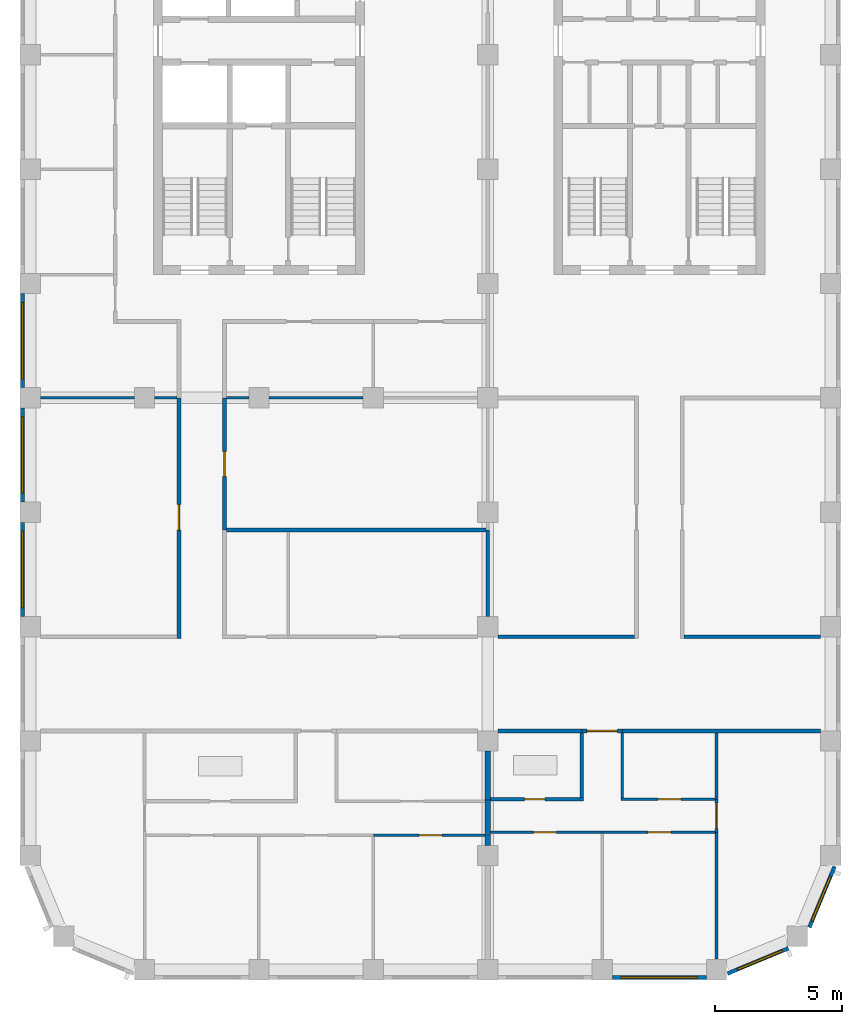
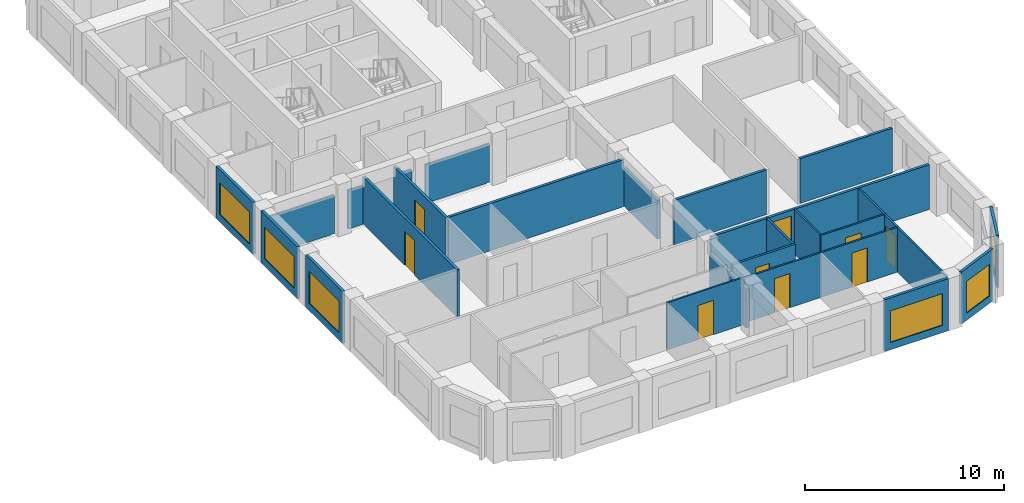
# One storey, part 3 of 10: 32 walls, 9 doors, 6 windows, 15 openings.
"""IFC4 building model written with IfcOpenShell, lengths in metres."""

from ifc_helpers import new_model, si_unit, direction, frame, frame_2d, origin, place, context, subcontext, project, spatial, rectangle, extrude, material, layer, layer_set, type_object, element, fill, save


model = new_model("IFC4")

# Units and contexts
model_context = context("Model", 3, precision=1e-05, world=origin(), true_north=direction((0.0, 1.0)))
body_context = subcontext(model_context, "Body", "Model", "MODEL_VIEW")
ifc_project = project(units=[si_unit("LENGTHUNIT", "METRE"), si_unit("AREAUNIT", "SQUARE_METRE"), si_unit("VOLUMEUNIT", "CUBIC_METRE"), si_unit("PLANEANGLEUNIT", "RADIAN"), si_unit("MASSUNIT", "GRAM", prefix="KILO")], contexts=[model_context])

# Site, building, storey
site_placement = place(None, origin())
site = spatial("IfcSite", under=ifc_project, at=site_placement, CompositionType="ELEMENT")
building_placement = place(site_placement, origin())
building = spatial("IfcBuilding", under=site, at=building_placement, Name="Girih Gate Residences", CompositionType="ELEMENT")
storey_placement = place(building_placement, frame((0.0, 0.0, 229.294921875)))
storey = spatial("IfcBuildingStorey", under=building, at=storey_placement, Name="L64", CompositionType="ELEMENT", Elevation=229.294921875)

# Wall
ifc_material_1 = material(Name="Gypsum board on steel studs", Category="steel")
ifc_layer_1 = layer(ifc_material_1, 0.14990234375)
ifc_layer_set_1 = layer_set([ifc_layer_1], Name="Compartment wall 150 mm")
wall_type_1 = type_object("IfcWallType", Name="Compartment wall 150 mm", PredefinedType="PARTITIONING", material=ifc_layer_set_1)
wall_1_placement = place(storey_placement, frame((18.39990234375, 9.39990234375, 0.0), z_axis=(0.0, 0.0, 1.0), x_axis=(1.0, 0.0, 0.0)))
element("IfcWall", 1, at=wall_1_placement, inside=storey, type_object=wall_type_1, Name="L64 partition", PredefinedType="PARTITIONING", context=body_context, shape_type="SweptSolid", body=[
    extrude(rectangle(XDim=3.300048828125, YDim=0.14990234375, at=frame_2d((1.64990234375, 0.0))), origin(), (0.0, 0.0, 1.0), 2.75),
])

# Wall, opening, door
wall_2_placement = place(storey_placement, frame((23.300048828125, 9.39990234375, 0.0), z_axis=(0.0, 0.0, 1.0), x_axis=(-1.0, 0.0, 0.0)))
wall_2 = element("IfcWall", 2, at=wall_2_placement, inside=storey, type_object=wall_type_1, Name="L64 partition", PredefinedType="PARTITIONING", context=body_context, shape_type="SweptSolid", body=[
    extrude(rectangle(XDim=1.60009765625, YDim=0.14990234375, at=frame_2d((0.800048828125, 0.0))), origin(), (0.0, 0.0, 1.0), 2.75),
])
opening_1_placement = place(wall_2_placement, frame((0.199951171875, 0.0, 0.0)))
opening_1 = element("IfcOpeningElement", 3, at=opening_1_placement, cuts=wall_2, Name="Opening A64-023", PredefinedType="OPENING", context=body_context, shape_type="SweptSolid", body=[
    extrude(rectangle(XDim=1.199951171875, YDim=2.39990234375, at=frame_2d((0.60009765625, 1.199951171875))), frame((0.0, 0.0849609375, 0.0), z_axis=(0.0, -1.0, 0.0), x_axis=(1.0, 0.0, 0.0)), (0.0, 0.0, 1.0), 0.169921875),
])
ifc_material_2 = material(Name="Timber, fire-rated core", Category="wood")
door_type_1 = type_object("IfcDoorType", Name="Villa entrance door 1200x2400 FD30S", OperationType="NOTDEFINED", PredefinedType="DOOR", material=ifc_material_2)
door_1_placement = place(opening_1_placement, origin())
door_1 = element("IfcDoor", 4, at=door_1_placement, inside=storey, type_object=door_type_1, Name="Door A64-023", OperationType="SINGLE_SWING_LEFT", OverallHeight=2.39990234375, OverallWidth=1.199951171875, PredefinedType="DOOR", context=body_context, shape_type="SweptSolid", body=[
    extrude(rectangle(XDim=1.199951171875, YDim=2.39990234375, at=frame_2d((0.60009765625, 1.199951171875))), frame((0.0, 0.02490234375, 0.0), z_axis=(0.0, -1.0, 0.0), x_axis=(1.0, 0.0, 0.0)), (0.0, 0.0, 1.0), 0.050048828125),
])
fill(opening_1, door_1)

# Wall
wall_3_placement = place(storey_placement, frame((23.300048828125, 9.39990234375, 0.0), z_axis=(0.0, 0.0, 1.0), x_axis=(1.0, 0.0, 0.0)))
element("IfcWall", 5, at=wall_3_placement, inside=storey, type_object=wall_type_1, Name="L64 partition", PredefinedType="PARTITIONING", context=body_context, shape_type="SweptSolid", body=[
    extrude(rectangle(XDim=7.800048828125, YDim=0.14990234375, at=frame_2d((3.89990234375, 0.0))), origin(), (0.0, 0.0, 1.0), 2.75),
])

# Wall, opening, door
wall_4_placement = place(storey_placement, frame((7.64990234375, 22.5, 0.0), z_axis=(0.0, 0.0, 1.0), x_axis=(0.0, -1.0, 0.0)))
wall_4 = element("IfcWall", 6, at=wall_4_placement, inside=storey, type_object=wall_type_1, Name="L64 partition", PredefinedType="PARTITIONING", context=body_context, shape_type="SweptSolid", body=[
    extrude(rectangle(XDim=5.199951171875, YDim=0.14990234375, at=frame_2d((2.60009765625, 0.0))), origin(), (0.0, 0.0, 1.0), 2.900146484375),
])
opening_2_placement = place(wall_4_placement, frame((2.10009765625, 0.0, 0.0)))
opening_2 = element("IfcOpeningElement", 7, at=opening_2_placement, cuts=wall_4, Name="Opening A64-024", PredefinedType="OPENING", context=body_context, shape_type="SweptSolid", body=[
    extrude(rectangle(XDim=1.0, YDim=2.10009765625, at=frame_2d((0.5, 1.050048828125))), frame((0.0, 0.0849609375, 0.0), z_axis=(0.0, -1.0, 0.0), x_axis=(1.0, 0.0, 0.0)), (0.0, 0.0, 1.0), 0.169921875),
])
door_type_2 = type_object("IfcDoorType", Name="Amenity room door 1000x2100 FD30S", OperationType="NOTDEFINED", PredefinedType="DOOR", material=ifc_material_2)
door_2_placement = place(opening_2_placement, origin())
door_2 = element("IfcDoor", 8, at=door_2_placement, inside=storey, type_object=door_type_2, Name="Door A64-024", OperationType="SINGLE_SWING_RIGHT", OverallHeight=2.10009765625, OverallWidth=1.0, PredefinedType="DOOR", context=body_context, shape_type="SweptSolid", body=[
    extrude(rectangle(XDim=1.0, YDim=2.10009765625, at=frame_2d((0.5, 1.050048828125))), frame((0.0, 0.02490234375, 0.0), z_axis=(0.0, -1.0, 0.0), x_axis=(1.0, 0.0, 0.0)), (0.0, 0.0, 1.0), 0.050048828125),
])
fill(opening_2, door_2)

# Walls
wall_5_placement = place(storey_placement, frame((7.72509765625, 17.300048828125, 0.0), z_axis=(0.0, 0.0, 1.0), x_axis=(1.0, 0.0, 0.0)))
element("IfcWall", 9, at=wall_5_placement, inside=storey, type_object=wall_type_1, Name="L64 partition", PredefinedType="PARTITIONING", context=body_context, shape_type="SweptSolid", body=[
    extrude(rectangle(XDim=10.199951171875, YDim=0.14990234375, at=frame_2d((5.10009765625, 0.0))), origin(), (0.0, 0.0, 1.0), 2.900146484375),
])
for number, where, z_axis, x_axis, name in (
    (10, (18.39990234375, 13.10009765625, 0.0), (0.0, 0.0, 1.0), (1.0, 0.0, 0.0), "L64 partition"),
    (11, (25.72509765625, 13.10009765625, 0.0), (0.0, 0.0, 1.0), (1.0, 0.0, 0.0), "L64 partition"),
):
    element("IfcWall", number, at=place(storey_placement, frame(where, z_axis=z_axis, x_axis=x_axis)), inside=storey, type_object=wall_type_1, Name=name, PredefinedType="PARTITIONING", context=body_context, shape_type="SweptSolid", body=[
        extrude(rectangle(XDim=5.375, YDim=0.14990234375, at=frame_2d((2.6875, 0.0))), origin(), (0.0, 0.0, 1.0), 2.75),
    ])
wall_6_placement = place(storey_placement, frame((18.0, 13.89990234375, 0.0), z_axis=(0.0, 0.0, 1.0), x_axis=(0.0, 1.0, 0.0)))
element("IfcWall", 12, at=wall_6_placement, inside=storey, type_object=wall_type_1, Name="L64 partition", PredefinedType="PARTITIONING", context=body_context, shape_type="SweptSolid", body=[
    extrude(rectangle(XDim=3.400146484375, YDim=0.14990234375, at=frame_2d((1.7001953125, 0.0))), origin(), (0.0, 0.0, 1.0), 2.380126953125),
])

# Wall, opening, door
wall_7_placement = place(storey_placement, frame((5.85009765625, 13.02490234375, 0.0), z_axis=(0.0, 0.0, 1.0), x_axis=(0.0, 1.0, 0.0)))
wall_7 = element("IfcWall", 13, at=wall_7_placement, inside=storey, type_object=wall_type_1, Name="L64 partition", PredefinedType="PARTITIONING", context=body_context, shape_type="SweptSolid", body=[
    extrude(rectangle(XDim=9.47509765625, YDim=0.14990234375, at=frame_2d((4.737548828125, 0.0))), origin(), (0.0, 0.0, 1.0), 2.900146484375),
])
opening_3_placement = place(wall_7_placement, frame((4.27490234375, 0.0, 0.0)))
opening_3 = element("IfcOpeningElement", 14, at=opening_3_placement, cuts=wall_7, Name="Opening A64-037", PredefinedType="OPENING", context=body_context, shape_type="SweptSolid", body=[
    extrude(rectangle(XDim=1.0, YDim=2.10009765625, at=frame_2d((0.5, 1.050048828125))), frame((0.0, 0.0849609375, 0.0), z_axis=(0.0, -1.0, 0.0), x_axis=(1.0, 0.0, 0.0)), (0.0, 0.0, 1.0), 0.169921875),
])
door_3_placement = place(opening_3_placement, origin())
door_3 = element("IfcDoor", 15, at=door_3_placement, inside=storey, type_object=door_type_2, Name="Door A64-037", OperationType="SINGLE_SWING_RIGHT", OverallHeight=2.10009765625, OverallWidth=1.0, PredefinedType="DOOR", context=body_context, shape_type="SweptSolid", body=[
    extrude(rectangle(XDim=1.0, YDim=2.10009765625, at=frame_2d((0.5, 1.050048828125))), frame((0.0, 0.02490234375, 0.0), z_axis=(0.0, -1.0, 0.0), x_axis=(1.0, 0.0, 0.0)), (0.0, 0.0, 1.0), 0.050048828125),
])
fill(opening_3, door_3)

ifc_layer_2 = layer(ifc_material_1, 0.10009765625)
ifc_layer_set_2 = layer_set([ifc_layer_2], Name="Partition 100 mm")
wall_type_2 = type_object("IfcWallType", Name="Partition 100 mm", PredefinedType="PARTITIONING", material=ifc_layer_set_2)
wall_8_placement = place(storey_placement, frame((17.89990234375, 5.2900390625, 0.0), z_axis=(0.0, 0.0, 1.0), x_axis=(-1.0, 0.0, 0.0)))
wall_8 = element("IfcWall", 16, at=wall_8_placement, inside=storey, type_object=wall_type_2, Name="L64 partition", PredefinedType="PARTITIONING", context=body_context, shape_type="SweptSolid", body=[
    extrude(rectangle(XDim=4.39990234375, YDim=0.10009765625, at=frame_2d((2.199951171875, 0.0))), origin(), (0.0, 0.0, 1.0), 2.900146484375),
])
opening_4_placement = place(wall_8_placement, frame((1.699951171875, 0.0, 0.0)))
opening_4 = element("IfcOpeningElement", 17, at=opening_4_placement, cuts=wall_8, Name="Opening A64-004", PredefinedType="OPENING", context=body_context, shape_type="SweptSolid", body=[
    extrude(rectangle(XDim=0.89990234375, YDim=2.10009765625, at=frame_2d((0.449951171875, 1.050048828125))), frame((0.0, 0.06005859375, 0.0), z_axis=(0.0, -1.0, 0.0), x_axis=(1.0, 0.0, 0.0)), (0.0, 0.0, 1.0), 0.1201171875),
])
ifc_material_3 = material(Name="Timber", Category="wood")
door_type_3 = type_object("IfcDoorType", Name="Bedroom door 900x2100", OperationType="NOTDEFINED", PredefinedType="DOOR", material=ifc_material_3)
door_4_placement = place(opening_4_placement, origin())
door_4 = element("IfcDoor", 18, at=door_4_placement, inside=storey, type_object=door_type_3, Name="Door A64-004", OperationType="SINGLE_SWING_LEFT", OverallHeight=2.10009765625, OverallWidth=0.89990234375, PredefinedType="DOOR", context=body_context, shape_type="SweptSolid", body=[
    extrude(rectangle(XDim=0.89990234375, YDim=2.10009765625, at=frame_2d((0.449951171875, 1.050048828125))), frame((0.0, 0.02490234375, 0.0), z_axis=(0.0, -1.0, 0.0), x_axis=(1.0, 0.0, 0.0)), (0.0, 0.0, 1.0), 0.050048828125),
])
fill(opening_4, door_4)

wall_9_placement = place(storey_placement, frame((22.5, 5.409912109375, 0.0), z_axis=(0.0, 0.0, 1.0), x_axis=(-1.0, 0.0, 0.0)))
wall_9 = element("IfcWall", 19, at=wall_9_placement, inside=storey, type_object=wall_type_2, Name="L64 partition", PredefinedType="PARTITIONING", context=body_context, shape_type="SweptSolid", body=[
    extrude(rectangle(XDim=4.39990234375, YDim=0.10009765625, at=frame_2d((2.199951171875, 0.0))), origin(), (0.0, 0.0, 1.0), 2.75),
])
opening_5_placement = place(wall_9_placement, frame((1.800048828125, 0.0, 0.0)))
opening_5 = element("IfcOpeningElement", 20, at=opening_5_placement, cuts=wall_9, Name="Opening A64-019", PredefinedType="OPENING", context=body_context, shape_type="SweptSolid", body=[
    extrude(rectangle(XDim=0.89990234375, YDim=2.10009765625, at=frame_2d((0.449951171875, 1.050048828125))), frame((0.0, 0.06005859375, 0.0), z_axis=(0.0, -1.0, 0.0), x_axis=(1.0, 0.0, 0.0)), (0.0, 0.0, 1.0), 0.1201171875),
])
door_5_placement = place(opening_5_placement, origin())
door_5 = element("IfcDoor", 21, at=door_5_placement, inside=storey, type_object=door_type_3, Name="Door A64-019", OperationType="SINGLE_SWING_RIGHT", OverallHeight=2.10009765625, OverallWidth=0.89990234375, PredefinedType="DOOR", context=body_context, shape_type="SweptSolid", body=[
    extrude(rectangle(XDim=0.89990234375, YDim=2.10009765625, at=frame_2d((0.449951171875, 1.050048828125))), frame((0.0, 0.02490234375, 0.0), z_axis=(0.0, -1.0, 0.0), x_axis=(1.0, 0.0, 0.0)), (0.0, 0.0, 1.0), 0.050048828125),
])
fill(opening_5, door_5)

wall_10_placement = place(storey_placement, frame((26.949951171875, 5.409912109375, 0.0), z_axis=(0.0, 0.0, 1.0), x_axis=(-1.0, 0.0, 0.0)))
wall_10 = element("IfcWall", 22, at=wall_10_placement, inside=storey, type_object=wall_type_2, Name="L64 partition", PredefinedType="PARTITIONING", context=body_context, shape_type="SweptSolid", body=[
    extrude(rectangle(XDim=4.449951171875, YDim=0.10009765625, at=frame_2d((2.22509765625, 0.0))), origin(), (0.0, 0.0, 1.0), 2.75),
])
opening_6_placement = place(wall_10_placement, frame((1.75, 0.0, 0.0)))
opening_6 = element("IfcOpeningElement", 23, at=opening_6_placement, cuts=wall_10, Name="Opening A64-020", PredefinedType="OPENING", context=body_context, shape_type="SweptSolid", body=[
    extrude(rectangle(XDim=0.89990234375, YDim=2.10009765625, at=frame_2d((0.449951171875, 1.050048828125))), frame((0.0, 0.06005859375, 0.0), z_axis=(0.0, -1.0, 0.0), x_axis=(1.0, 0.0, 0.0)), (0.0, 0.0, 1.0), 0.1201171875),
])
door_6_placement = place(opening_6_placement, origin())
door_6 = element("IfcDoor", 24, at=door_6_placement, inside=storey, type_object=door_type_3, Name="Door A64-020", OperationType="SINGLE_SWING_LEFT", OverallHeight=2.10009765625, OverallWidth=0.89990234375, PredefinedType="DOOR", context=body_context, shape_type="SweptSolid", body=[
    extrude(rectangle(XDim=0.89990234375, YDim=2.10009765625, at=frame_2d((0.449951171875, 1.050048828125))), frame((0.0, 0.02490234375, 0.0), z_axis=(0.0, -1.0, 0.0), x_axis=(1.0, 0.0, 0.0)), (0.0, 0.0, 1.0), 0.050048828125),
])
fill(opening_6, door_6)

# Walls
wall_11_placement = place(storey_placement, frame((27.0, 0.432861328125, 0.0), z_axis=(0.0, 0.0, 1.0), x_axis=(0.0, 1.0, 0.0)))
element("IfcWall", 25, at=wall_11_placement, inside=storey, type_object=wall_type_2, Name="L64 partition", PredefinedType="PARTITIONING", context=body_context, shape_type="SweptSolid", body=[
    extrude(rectangle(XDim=4.97705078125, YDim=0.10009765625, at=frame_2d((2.488525390625, 0.0))), origin(), (0.0, 0.0, 1.0), 2.75),
])
wall_12_placement = place(storey_placement, frame((23.300048828125, 6.760009765625, 0.0), z_axis=(0.0, 0.0, 1.0), x_axis=(0.0, 1.0, 0.0)))
element("IfcWall", 26, at=wall_12_placement, inside=storey, type_object=wall_type_2, Name="L64 partition", PredefinedType="PARTITIONING", context=body_context, shape_type="SweptSolid", body=[
    extrude(rectangle(XDim=2.56494140625, YDim=0.10009765625, at=frame_2d((1.282470703125, 0.0))), origin(), (0.0, 0.0, 1.0), 2.75),
])

# Wall, opening, door
wall_13_placement = place(storey_placement, frame((23.25, 6.7099609375, 0.0), z_axis=(0.0, 0.0, 1.0), x_axis=(1.0, 0.0, 0.0)))
wall_13 = element("IfcWall", 27, at=wall_13_placement, inside=storey, type_object=wall_type_2, Name="L64 partition", PredefinedType="PARTITIONING", context=body_context, shape_type="SweptSolid", body=[
    extrude(rectangle(XDim=3.699951171875, YDim=0.10009765625, at=frame_2d((1.85009765625, 0.0))), origin(), (0.0, 0.0, 1.0), 2.75),
])
opening_7_placement = place(wall_13_placement, frame((1.449951171875, 0.0, 0.0)))
opening_7 = element("IfcOpeningElement", 28, at=opening_7_placement, cuts=wall_13, Name="Opening A64-021", PredefinedType="OPENING", context=body_context, shape_type="SweptSolid", body=[
    extrude(rectangle(XDim=0.89990234375, YDim=2.10009765625, at=frame_2d((0.449951171875, 1.050048828125))), frame((0.0, 0.06005859375, 0.0), z_axis=(0.0, -1.0, 0.0), x_axis=(1.0, 0.0, 0.0)), (0.0, 0.0, 1.0), 0.1201171875),
])
door_type_4 = type_object("IfcDoorType", Name="Kitchen door 900x2100", OperationType="NOTDEFINED", PredefinedType="DOOR", material=ifc_material_3)
door_7_placement = place(opening_7_placement, origin())
door_7 = element("IfcDoor", 29, at=door_7_placement, inside=storey, type_object=door_type_4, Name="Door A64-021", OperationType="SINGLE_SWING_RIGHT", OverallHeight=2.10009765625, OverallWidth=0.89990234375, PredefinedType="DOOR", context=body_context, shape_type="SweptSolid", body=[
    extrude(rectangle(XDim=0.89990234375, YDim=2.10009765625, at=frame_2d((0.449951171875, 1.050048828125))), frame((0.0, 0.02490234375, 0.0), z_axis=(0.0, -1.0, 0.0), x_axis=(1.0, 0.0, 0.0)), (0.0, 0.0, 1.0), 0.050048828125),
])
fill(opening_7, door_7)

wall_14_placement = place(storey_placement, frame((27.0, 6.7099609375, 0.0), z_axis=(0.0, 0.0, 1.0), x_axis=(0.0, -1.0, 0.0)))
wall_14 = element("IfcWall", 30, at=wall_14_placement, inside=storey, type_object=wall_type_2, Name="L64 partition", PredefinedType="PARTITIONING", context=body_context, shape_type="SweptSolid", body=[
    extrude(rectangle(XDim=1.300048828125, YDim=0.10009765625, at=frame_2d((0.64990234375, 0.0))), origin(), (0.0, 0.0, 1.0), 2.75),
])
opening_8_placement = place(wall_14_placement, frame((0.14990234375, 0.0, 0.0)))
opening_8 = element("IfcOpeningElement", 31, at=opening_8_placement, cuts=wall_14, Name="Opening A64-022", PredefinedType="OPENING", context=body_context, shape_type="SweptSolid", body=[
    extrude(rectangle(XDim=1.0, YDim=2.10009765625, at=frame_2d((0.5, 1.050048828125))), frame((0.0, 0.06005859375, 0.0), z_axis=(0.0, -1.0, 0.0), x_axis=(1.0, 0.0, 0.0)), (0.0, 0.0, 1.0), 0.1201171875),
])
door_type_5 = type_object("IfcDoorType", Name="Living room door 1000x2100", OperationType="NOTDEFINED", PredefinedType="DOOR", material=ifc_material_3)
door_8_placement = place(opening_8_placement, origin())
door_8 = element("IfcDoor", 32, at=door_8_placement, inside=storey, type_object=door_type_5, Name="Door A64-022", OperationType="SINGLE_SWING_LEFT", OverallHeight=2.10009765625, OverallWidth=1.0, PredefinedType="DOOR", context=body_context, shape_type="SweptSolid", body=[
    extrude(rectangle(XDim=1.0, YDim=2.10009765625, at=frame_2d((0.5, 1.050048828125))), frame((0.0, 0.02490234375, 0.0), z_axis=(0.0, -1.0, 0.0), x_axis=(1.0, 0.0, 0.0)), (0.0, 0.0, 1.0), 0.050048828125),
])
fill(opening_8, door_8)

# Walls
wall_15_placement = place(storey_placement, frame((27.0, 6.7099609375, 0.0), z_axis=(0.0, 0.0, 1.0), x_axis=(0.0, 1.0, 0.0)))
element("IfcWall", 33, at=wall_15_placement, inside=storey, type_object=wall_type_2, Name="L64 partition", PredefinedType="PARTITIONING", context=body_context, shape_type="SweptSolid", body=[
    extrude(rectangle(XDim=2.614990234375, YDim=0.10009765625, at=frame_2d((1.3076171875, 0.0))), origin(), (0.0, 0.0, 1.0), 2.75),
])
wall_16_placement = place(storey_placement, frame((7.72509765625, 22.5, 0.0), z_axis=(0.0, 0.0, 1.0), x_axis=(1.0, 0.0, 0.0)))
element("IfcWall", 34, at=wall_16_placement, inside=storey, type_object=wall_type_2, Name="L64 partition", PredefinedType="PARTITIONING", context=body_context, shape_type="SweptSolid", body=[
    extrude(rectangle(XDim=0.875, YDim=0.10009765625, at=frame_2d((0.4375, 0.0))), origin(), (0.0, 0.0, 1.0), 2.380126953125),
])
wall_17_placement = place(storey_placement, frame((9.39990234375, 22.5, 0.0), z_axis=(0.0, 0.0, 1.0), x_axis=(1.0, 0.0, 0.0)))
element("IfcWall", 35, at=wall_17_placement, inside=storey, type_object=wall_type_2, Name="L64 partition", PredefinedType="PARTITIONING", context=body_context, shape_type="SweptSolid", body=[
    extrude(rectangle(XDim=3.7001953125, YDim=0.10009765625, at=frame_2d((1.85009765625, 0.0))), origin(), (0.0, 0.0, 1.0), 2.380126953125),
])
wall_18_placement = place(storey_placement, frame((4.89990234375, 22.5, 0.0), z_axis=(0.0, 0.0, 1.0), x_axis=(1.0, 0.0, 0.0)))
element("IfcWall", 36, at=wall_18_placement, inside=storey, type_object=wall_type_2, Name="L64 partition", PredefinedType="PARTITIONING", context=body_context, shape_type="SweptSolid", body=[
    extrude(rectangle(XDim=0.875, YDim=0.10009765625, at=frame_2d((0.4375, 0.0))), origin(), (0.0, 0.0, 1.0), 2.380126953125),
])
wall_19_placement = place(storey_placement, frame((0.39990234375, 22.5, 0.0), z_axis=(0.0, 0.0, 1.0), x_axis=(1.0, 0.0, 0.0)))
element("IfcWall", 37, at=wall_19_placement, inside=storey, type_object=wall_type_2, Name="L64 partition", PredefinedType="PARTITIONING", context=body_context, shape_type="SweptSolid", body=[
    extrude(rectangle(XDim=3.7001953125, YDim=0.10009765625, at=frame_2d((1.85009765625, 0.0))), origin(), (0.0, 0.0, 1.0), 2.380126953125),
])
ifc_layer_3 = layer(ifc_material_1, 0.199951171875)
ifc_layer_set_3 = layer_set([ifc_layer_3], Name="Party wall 200 mm")
wall_type_3 = type_object("IfcWallType", Name="Party wall 200 mm", PredefinedType="PARTITIONING", material=ifc_layer_set_3)
wall_20_placement = place(storey_placement, frame((18.0, 4.89990234375, 0.0), z_axis=(0.0, 0.0, 1.0), x_axis=(0.0, 1.0, 0.0)))
element("IfcWall", 38, at=wall_20_placement, inside=storey, type_object=wall_type_3, Name="L64 partition", PredefinedType="PARTITIONING", context=body_context, shape_type="SweptSolid", body=[
    extrude(rectangle(XDim=0.440185546875, YDim=0.199951171875, at=frame_2d((0.22021484375, 0.0))), origin(), (0.0, 0.0, 1.0), 2.380126953125),
])
wall_21_placement = place(storey_placement, frame((18.0, 5.360107421875, 0.0), z_axis=(0.0, 0.0, 1.0), x_axis=(0.0, 1.0, 0.0)))
element("IfcWall", 39, at=wall_21_placement, inside=storey, type_object=wall_type_3, Name="L64 partition", PredefinedType="PARTITIONING", context=body_context, shape_type="SweptSolid", body=[
    extrude(rectangle(XDim=1.31982421875, YDim=0.199951171875, at=frame_2d((0.659912109375, 0.0))), origin(), (0.0, 0.0, 1.0), 2.380126953125),
])
wall_22_placement = place(storey_placement, frame((18.0, 6.6474609375, 0.0), z_axis=(0.0, 0.0, 1.0), x_axis=(0.0, 1.0, 0.0)))
element("IfcWall", 40, at=wall_22_placement, inside=storey, type_object=wall_type_3, Name="L64 partition", PredefinedType="PARTITIONING", context=body_context, shape_type="SweptSolid", body=[
    extrude(rectangle(XDim=1.95263671875, YDim=0.199951171875, at=frame_2d((0.976318359375, 0.0))), origin(), (0.0, 0.0, 1.0), 2.380126953125),
])

# Wall, opening, window
ifc_material_4 = material(Name="Precast concrete C50/60", Category="concrete")
ifc_layer_4 = layer(ifc_material_4, 0.050048828125, Name="Outer leaf")
ifc_material_5 = material(Name="Rigid PIR insulation")
ifc_layer_5 = layer(ifc_material_5, 0.06005859375, Name="Insulation")
ifc_material_6 = material(Name="Precast concrete C40/50", Category="concrete")
ifc_layer_6 = layer(ifc_material_6, 0.0400390625, Name="Inner leaf")
ifc_layer_set_4 = layer_set([ifc_layer_4, ifc_layer_5, ifc_layer_6], Name="Precast concrete C50/60 external wall 150")
wall_type_4 = type_object("IfcWallType", Name="Precast concrete C50/60 external wall 150", PredefinedType="SOLIDWALL", material=ifc_layer_set_4)
wall_23_placement = place(storey_placement, frame((29.8330078125, 0.8486328125, 0.0), z_axis=(0.0, 0.0, 1.0), x_axis=(-0.923885342263, -0.382669406082, 0.0)))
wall_23 = element("IfcWall", 41, at=wall_23_placement, inside=storey, type_object=wall_type_4, Name="External wall SE0270_0000.0", PredefinedType="SOLIDWALL", context=body_context, shape_type="SweptSolid", body=[
    extrude(rectangle(XDim=2.602294921875, YDim=0.14990234375, at=frame_2d((1.30126953125, 0.0))), origin(), (0.0, 0.0, 1.0), 3.2001953125),
])
opening_9_placement = place(wall_23_placement, frame((0.27001953125, 0.0, 0.449951171875)))
opening_9 = element("IfcOpeningElement", 42, at=opening_9_placement, cuts=wall_23, Name="Opening W-2G", PredefinedType="OPENING", context=body_context, shape_type="SweptSolid", body=[
    extrude(rectangle(XDim=1.89990234375, YDim=1.949951171875, at=frame_2d((0.949951171875, 0.97509765625))), frame((0.0, 0.0849609375, 0.0), z_axis=(0.0, -1.0, 0.0), x_axis=(1.0, 0.0, 0.0)), (0.0, 0.0, 1.0), 0.169921875),
])
ifc_material_7 = material(Name="Double glazing in aluminium frame", Category="aluminium")
window_type_1 = type_object("IfcWindowType", Name="Window W-2G 1900x1950", PartitioningType="SINGLE_PANEL", PredefinedType="WINDOW", material=ifc_material_7)
window_1_placement = place(opening_9_placement, origin())
window_1 = element("IfcWindow", 43, at=window_1_placement, inside=storey, type_object=window_type_1, Name="Window W-2G SE0270_0000.0", OverallHeight=1.949951171875, OverallWidth=1.89990234375, PartitioningType="SINGLE_PANEL", PredefinedType="WINDOW", context=body_context, shape_type="SweptSolid", body=[
    extrude(rectangle(XDim=1.89990234375, YDim=1.949951171875, at=frame_2d((0.949951171875, 0.97509765625))), frame((0.0, 0.030029296875, 0.0), z_axis=(0.0, -1.0, 0.0), x_axis=(1.0, 0.0, 0.0)), (0.0, 0.0, 1.0), 0.06005859375),
])
fill(opening_9, window_1)

wall_24_placement = place(storey_placement, frame((31.647216796875, 4.0712890625, 0.0), z_axis=(0.0, 0.0, 1.0), x_axis=(-0.382669406082, -0.923885342263, 0.0)))
wall_24 = element("IfcWall", 44, at=wall_24_placement, inside=storey, type_object=wall_type_4, Name="External wall SE0302_0013.0", PredefinedType="SOLIDWALL", context=body_context, shape_type="SweptSolid", body=[
    extrude(rectangle(XDim=2.602294921875, YDim=0.14990234375, at=frame_2d((1.30126953125, 0.0))), origin(), (0.0, 0.0, 1.0), 3.2001953125),
])
opening_10_placement = place(wall_24_placement, frame((0.432373046875, 0.0, 0.449951171875)))
opening_10 = element("IfcOpeningElement", 45, at=opening_10_placement, cuts=wall_24, Name="Opening W-2G", PredefinedType="OPENING", context=body_context, shape_type="SweptSolid", body=[
    extrude(rectangle(XDim=1.89990234375, YDim=1.949951171875, at=frame_2d((0.949951171875, 0.97509765625))), frame((0.0, 0.0849609375, 0.0), z_axis=(0.0, -1.0, 0.0), x_axis=(1.0, 0.0, 0.0)), (0.0, 0.0, 1.0), 0.169921875),
])
window_2_placement = place(opening_10_placement, origin())
window_2 = element("IfcWindow", 46, at=window_2_placement, inside=storey, type_object=window_type_1, Name="Window W-2G SE0302_0013.0", OverallHeight=1.949951171875, OverallWidth=1.89990234375, PartitioningType="SINGLE_PANEL", PredefinedType="WINDOW", context=body_context, shape_type="SweptSolid", body=[
    extrude(rectangle(XDim=1.89990234375, YDim=1.949951171875, at=frame_2d((0.949951171875, 0.97509765625))), frame((0.0, 0.030029296875, 0.0), z_axis=(0.0, -1.0, 0.0), x_axis=(1.0, 0.0, 0.0)), (0.0, 0.0, 1.0), 0.06005859375),
])
fill(opening_10, window_2)

wall_25_placement = place(storey_placement, frame((-0.300048828125, 22.89990234375, 0.0), z_axis=(0.0, 0.0, 1.0), x_axis=(0.0, 1.0, 0.0)))
wall_25 = element("IfcWall", 47, at=wall_25_placement, inside=storey, type_object=wall_type_4, Name="External wall W0000_0450.4", PredefinedType="SOLIDWALL", context=body_context, shape_type="SweptSolid", body=[
    extrude(rectangle(XDim=3.7001953125, YDim=0.14990234375, at=frame_2d((1.85009765625, 0.0))), origin(), (0.0, 0.0, 1.0), 3.2001953125),
])
opening_11_placement = place(wall_25_placement, frame((0.35009765625, 0.0, 0.449951171875)))
opening_11 = element("IfcOpeningElement", 48, at=opening_11_placement, cuts=wall_25, Name="Opening W-1D", PredefinedType="OPENING", context=body_context, shape_type="SweptSolid", body=[
    extrude(rectangle(XDim=3.0, YDim=1.949951171875, at=frame_2d((1.5, 0.97509765625))), frame((0.0, 0.0849609375, 0.0), z_axis=(0.0, -1.0, 0.0), x_axis=(1.0, 0.0, 0.0)), (0.0, 0.0, 1.0), 0.169921875),
])
window_type_2 = type_object("IfcWindowType", Name="Window W-1D 3000x1950", PartitioningType="SINGLE_PANEL", PredefinedType="WINDOW", material=ifc_material_7)
window_3_placement = place(opening_11_placement, origin())
window_3 = element("IfcWindow", 49, at=window_3_placement, inside=storey, type_object=window_type_2, Name="Window W-1D W0000_0450.4", OverallHeight=1.949951171875, OverallWidth=3.0, PartitioningType="SINGLE_PANEL", PredefinedType="WINDOW", context=body_context, shape_type="SweptSolid", body=[
    extrude(rectangle(XDim=3.0, YDim=1.949951171875, at=frame_2d((1.5, 0.97509765625))), frame((0.0, 0.030029296875, 0.0), z_axis=(0.0, -1.0, 0.0), x_axis=(1.0, 0.0, 0.0)), (0.0, 0.0, 1.0), 0.06005859375),
])
fill(opening_11, window_3)

wall_26_placement = place(storey_placement, frame((-0.300048828125, 18.39990234375, 0.0), z_axis=(0.0, 0.0, 1.0), x_axis=(0.0, 1.0, 0.0)))
wall_26 = element("IfcWall", 50, at=wall_26_placement, inside=storey, type_object=wall_type_4, Name="External wall W0000_0450.5", PredefinedType="SOLIDWALL", context=body_context, shape_type="SweptSolid", body=[
    extrude(rectangle(XDim=3.7001953125, YDim=0.14990234375, at=frame_2d((1.85009765625, 0.0))), origin(), (0.0, 0.0, 1.0), 3.2001953125),
])
opening_12_placement = place(wall_26_placement, frame((0.35009765625, 0.0, 0.449951171875)))
opening_12 = element("IfcOpeningElement", 51, at=opening_12_placement, cuts=wall_26, Name="Opening W-1D", PredefinedType="OPENING", context=body_context, shape_type="SweptSolid", body=[
    extrude(rectangle(XDim=3.0, YDim=1.949951171875, at=frame_2d((1.5, 0.97509765625))), frame((0.0, 0.0849609375, 0.0), z_axis=(0.0, -1.0, 0.0), x_axis=(1.0, 0.0, 0.0)), (0.0, 0.0, 1.0), 0.169921875),
])
window_4_placement = place(opening_12_placement, origin())
window_4 = element("IfcWindow", 52, at=window_4_placement, inside=storey, type_object=window_type_2, Name="Window W-1D W0000_0450.5", OverallHeight=1.949951171875, OverallWidth=3.0, PartitioningType="SINGLE_PANEL", PredefinedType="WINDOW", context=body_context, shape_type="SweptSolid", body=[
    extrude(rectangle(XDim=3.0, YDim=1.949951171875, at=frame_2d((1.5, 0.97509765625))), frame((0.0, 0.030029296875, 0.0), z_axis=(0.0, -1.0, 0.0), x_axis=(1.0, 0.0, 0.0)), (0.0, 0.0, 1.0), 0.06005859375),
])
fill(opening_12, window_4)

wall_27_placement = place(storey_placement, frame((-0.300048828125, 13.89990234375, 0.0), z_axis=(0.0, 0.0, 1.0), x_axis=(0.0, 1.0, 0.0)))
wall_27 = element("IfcWall", 53, at=wall_27_placement, inside=storey, type_object=wall_type_4, Name="External wall W0000_0450.6", PredefinedType="SOLIDWALL", context=body_context, shape_type="SweptSolid", body=[
    extrude(rectangle(XDim=3.7001953125, YDim=0.14990234375, at=frame_2d((1.85009765625, 0.0))), origin(), (0.0, 0.0, 1.0), 3.2001953125),
])
opening_13_placement = place(wall_27_placement, frame((0.35009765625, 0.0, 0.449951171875)))
opening_13 = element("IfcOpeningElement", 54, at=opening_13_placement, cuts=wall_27, Name="Opening W-1D", PredefinedType="OPENING", context=body_context, shape_type="SweptSolid", body=[
    extrude(rectangle(XDim=3.0, YDim=1.949951171875, at=frame_2d((1.5, 0.97509765625))), frame((0.0, 0.0849609375, 0.0), z_axis=(0.0, -1.0, 0.0), x_axis=(1.0, 0.0, 0.0)), (0.0, 0.0, 1.0), 0.169921875),
])
window_5_placement = place(opening_13_placement, origin())
window_5 = element("IfcWindow", 55, at=window_5_placement, inside=storey, type_object=window_type_2, Name="Window W-1D W0000_0450.6", OverallHeight=1.949951171875, OverallWidth=3.0, PartitioningType="SINGLE_PANEL", PredefinedType="WINDOW", context=body_context, shape_type="SweptSolid", body=[
    extrude(rectangle(XDim=3.0, YDim=1.949951171875, at=frame_2d((1.5, 0.97509765625))), frame((0.0, 0.030029296875, 0.0), z_axis=(0.0, -1.0, 0.0), x_axis=(1.0, 0.0, 0.0)), (0.0, 0.0, 1.0), 0.06005859375),
])
fill(opening_13, window_5)

wall_28_placement = place(storey_placement, frame((26.60009765625, -0.300048828125, 0.0), z_axis=(0.0, 0.0, 1.0), x_axis=(-1.0, 0.0, 0.0)))
wall_28 = element("IfcWall", 56, at=wall_28_placement, inside=storey, type_object=wall_type_4, Name="External wall S0045_0000.4", PredefinedType="SOLIDWALL", context=body_context, shape_type="SweptSolid", body=[
    extrude(rectangle(XDim=3.7001953125, YDim=0.14990234375, at=frame_2d((1.85009765625, 0.0))), origin(), (0.0, 0.0, 1.0), 3.2001953125),
])
opening_14_placement = place(wall_28_placement, frame((0.35009765625, 0.0, 0.449951171875)))
opening_14 = element("IfcOpeningElement", 57, at=opening_14_placement, cuts=wall_28, Name="Opening W-1D", PredefinedType="OPENING", context=body_context, shape_type="SweptSolid", body=[
    extrude(rectangle(XDim=3.0, YDim=1.949951171875, at=frame_2d((1.5, 0.97509765625))), frame((0.0, 0.0849609375, 0.0), z_axis=(0.0, -1.0, 0.0), x_axis=(1.0, 0.0, 0.0)), (0.0, 0.0, 1.0), 0.169921875),
])
window_6_placement = place(opening_14_placement, origin())
window_6 = element("IfcWindow", 58, at=window_6_placement, inside=storey, type_object=window_type_2, Name="Window W-1D S0045_0000.4", OverallHeight=1.949951171875, OverallWidth=3.0, PartitioningType="SINGLE_PANEL", PredefinedType="WINDOW", context=body_context, shape_type="SweptSolid", body=[
    extrude(rectangle(XDim=3.0, YDim=1.949951171875, at=frame_2d((1.5, 0.97509765625))), frame((0.0, 0.030029296875, 0.0), z_axis=(0.0, -1.0, 0.0), x_axis=(1.0, 0.0, 0.0)), (0.0, 0.0, 1.0), 0.06005859375),
])
fill(opening_14, window_6)

# Wall
ifc_layer_7 = layer(ifc_material_1, 0.125)
ifc_layer_set_5 = layer_set([ifc_layer_7], Name="Wet room wall 125 mm")
wall_type_5 = type_object("IfcWallType", Name="Wet room wall 125 mm", PredefinedType="PARTITIONING", material=ifc_layer_set_5)
wall_29_placement = place(storey_placement, frame((21.699951171875, 6.7724609375, 0.0), z_axis=(0.0, 0.0, 1.0), x_axis=(0.0, 1.0, 0.0)))
element("IfcWall", 59, at=wall_29_placement, inside=storey, type_object=wall_type_5, Name="L64 partition", PredefinedType="PARTITIONING", context=body_context, shape_type="SweptSolid", body=[
    extrude(rectangle(XDim=2.552490234375, YDim=0.125, at=frame_2d((1.2763671875, 0.0))), origin(), (0.0, 0.0, 1.0), 2.75),
])

# Wall, opening, door
wall_30_placement = place(storey_placement, frame((18.10009765625, 6.7099609375, 0.0), z_axis=(0.0, 0.0, 1.0), x_axis=(1.0, 0.0, 0.0)))
wall_30 = element("IfcWall", 60, at=wall_30_placement, inside=storey, type_object=wall_type_5, Name="L64 partition", PredefinedType="PARTITIONING", context=body_context, shape_type="SweptSolid", body=[
    extrude(rectangle(XDim=3.662353515625, YDim=0.125, at=frame_2d((1.8310546875, 0.0))), origin(), (0.0, 0.0, 1.0), 2.75),
])
opening_15_placement = place(wall_30_placement, frame((1.35009765625, 0.0, 0.0)))
opening_15 = element("IfcOpeningElement", 61, at=opening_15_placement, cuts=wall_30, Name="Opening A64-018", PredefinedType="OPENING", context=body_context, shape_type="SweptSolid", body=[
    extrude(rectangle(XDim=0.800048828125, YDim=2.10009765625, at=frame_2d((0.39990234375, 1.050048828125))), frame((0.0, 0.072509765625, 0.0), z_axis=(0.0, -1.0, 0.0), x_axis=(1.0, 0.0, 0.0)), (0.0, 0.0, 1.0), 0.14501953125),
])
door_type_6 = type_object("IfcDoorType", Name="Bathroom door 800x2100", OperationType="NOTDEFINED", PredefinedType="DOOR", material=ifc_material_3)
door_9_placement = place(opening_15_placement, origin())
door_9 = element("IfcDoor", 62, at=door_9_placement, inside=storey, type_object=door_type_6, Name="Door A64-018", OperationType="SINGLE_SWING_LEFT", OverallHeight=2.10009765625, OverallWidth=0.800048828125, PredefinedType="DOOR", context=body_context, shape_type="SweptSolid", body=[
    extrude(rectangle(XDim=0.800048828125, YDim=2.10009765625, at=frame_2d((0.39990234375, 1.050048828125))), frame((0.0, 0.02490234375, 0.0), z_axis=(0.0, -1.0, 0.0), x_axis=(1.0, 0.0, 0.0)), (0.0, 0.0, 1.0), 0.050048828125),
])
fill(opening_15, door_9)

save(model, "model.ifc")
